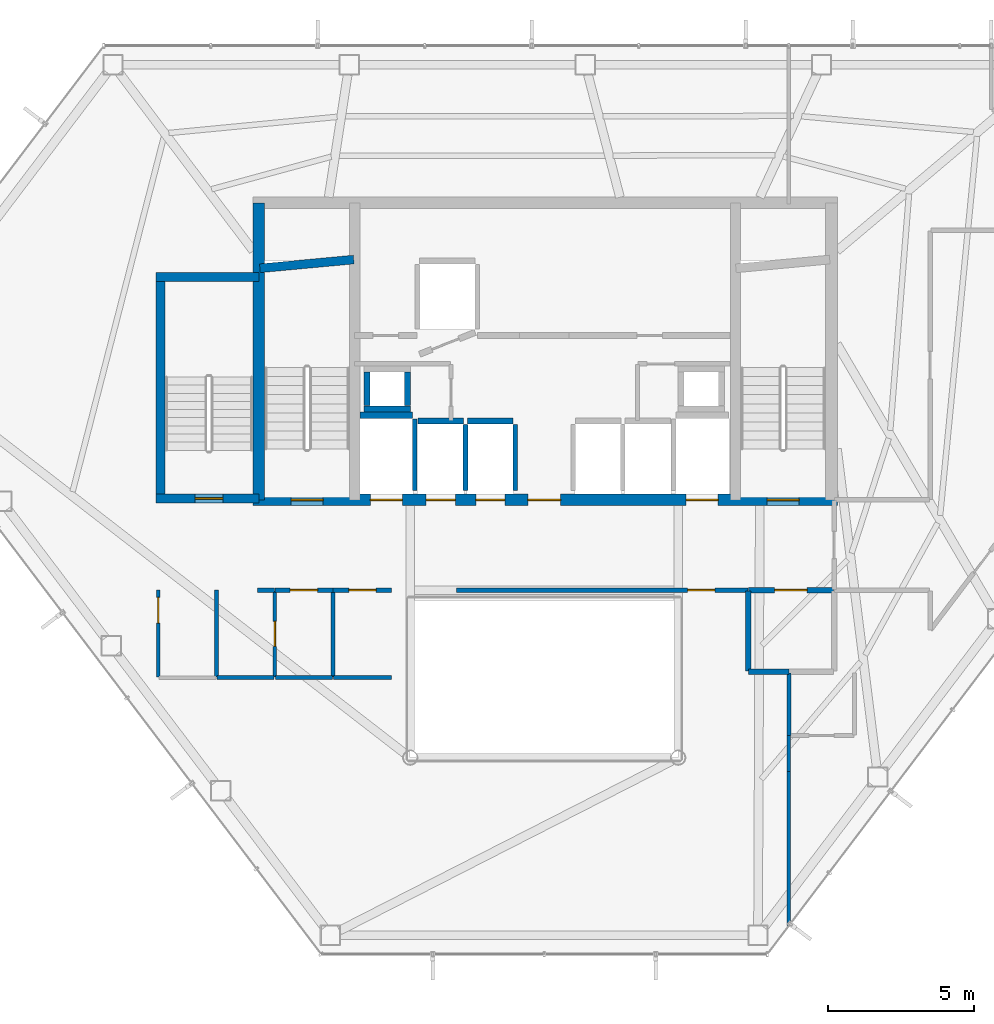
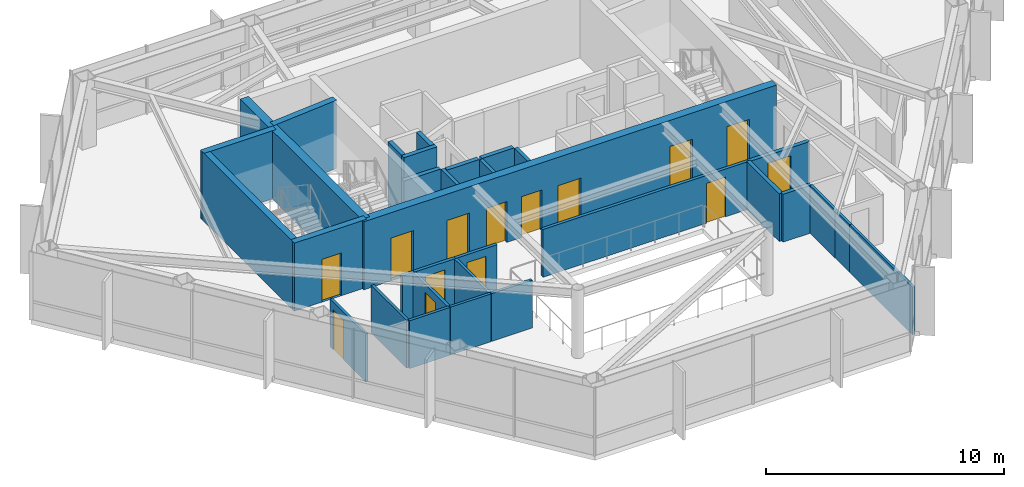
# One storey, part 25 of 28: 32 walls, 14 doors, 14 openings.
"""IFC4 building model written with IfcOpenShell, lengths in metres."""

from ifc_helpers import new_model, si_unit, direction, frame, frame_2d, origin, place, context, subcontext, project, spatial, rectangle, extrude, material, layer, layer_set, type_object, element, fill, save


model = new_model("IFC4")

# Units and contexts
model_context = context("Model", 3, precision=1e-05, world=origin(), true_north=direction((0.0, 1.0)))
body_context = subcontext(model_context, "Body", "Model", "MODEL_VIEW")
ifc_project = project(units=[si_unit("LENGTHUNIT", "METRE"), si_unit("AREAUNIT", "SQUARE_METRE"), si_unit("VOLUMEUNIT", "CUBIC_METRE"), si_unit("PLANEANGLEUNIT", "RADIAN"), si_unit("MASSUNIT", "GRAM", prefix="KILO")], contexts=[model_context])

# Site, building, storey
site_placement = place(None, origin())
site = spatial("IfcSite", under=ifc_project, at=site_placement, CompositionType="ELEMENT")
building_placement = place(site_placement, origin())
building = spatial("IfcBuilding", under=site, at=building_placement, Name="Zarrinselat Tower", CompositionType="ELEMENT")
storey_placement = place(building_placement, frame((0.0, 0.0, 168.300048828125)))
storey = spatial("IfcBuildingStorey", under=building, at=storey_placement, Name="L41", CompositionType="ELEMENT", Elevation=168.300048828125)

# Wall, opening, door
ifc_material_1 = material(Name="Concrete C40/50", Category="concrete")
ifc_layer_1 = layer(ifc_material_1, 0.18994140625)
ifc_layer_set_1 = layer_set([ifc_layer_1], Name="Concrete C40/50")
wall_type_1 = type_object("IfcWallType", Name="WAL-PART-EI120", PredefinedType="PARTITIONING", material=ifc_layer_set_1)
wall_1_placement = place(storey_placement, frame((45.405029296875, 30.14990234375, 0.0), z_axis=(0.0, 0.0, 1.0), x_axis=(1.0, 0.0, 0.0)))
wall_1 = element("IfcWall", 1, at=wall_1_placement, inside=storey, type_object=wall_type_1, Name="L41 Partition Wall 9", PredefinedType="PARTITIONING", context=body_context, shape_type="SweptSolid", body=[
    extrude(rectangle(XDim=2.925048828125, YDim=0.18994140625, at=frame_2d((1.46240234375, 0.0))), origin(), (0.0, 0.0, 1.0), 2.45703125),
])
opening_1_placement = place(wall_1_placement, frame((0.902587890625, 0.0, 0.0)))
opening_1 = element("IfcOpeningElement", 2, at=opening_1_placement, cuts=wall_1, Name="Opening ID-02", PredefinedType="OPENING", context=body_context, shape_type="SweptSolid", body=[
    extrude(rectangle(XDim=1.1201171875, YDim=2.050048828125, at=frame_2d((0.56005859375, 1.02490234375))), frame((0.0, 0.10498046875, 0.0), z_axis=(0.0, -1.0, 0.0), x_axis=(1.0, 0.0, 0.0)), (0.0, 0.0, 1.0), 0.2099609375),
])
ifc_material_2 = material(Name="Steel S355J2", Category="steel")
door_type_1 = type_object("IfcDoorType", Name="DR-INT-FD60-W", OperationType="NOTDEFINED", PredefinedType="DOOR", material=ifc_material_2)
door_1_placement = place(opening_1_placement, origin())
door_1 = element("IfcDoor", 3, at=door_1_placement, inside=storey, type_object=door_type_1, Name="L41 Interior Door P9", OperationType="SINGLE_SWING_LEFT", OverallHeight=2.050048828125, OverallWidth=1.1201171875, PredefinedType="DOOR", context=body_context, shape_type="SweptSolid", body=[
    extrude(rectangle(XDim=1.1201171875, YDim=2.050048828125, at=frame_2d((0.56005859375, 1.02490234375))), frame((0.0, 0.02490234375, 0.0), z_axis=(0.0, -1.0, 0.0), x_axis=(1.0, 0.0, 0.0)), (0.0, 0.0, 1.0), 0.050048828125),
])
fill(opening_1, door_1)

# Walls
wall_2_placement = place(storey_placement, frame((45.419921875, 27.35009765625, 0.0), z_axis=(0.0, 0.0, 1.0), x_axis=(1.0, 0.0, 0.0)))
element("IfcWall", 4, at=wall_2_placement, inside=storey, type_object=wall_type_1, Name="L41 Partition Wall 15", PredefinedType="PARTITIONING", context=body_context, shape_type="SweptSolid", body=[
    extrude(rectangle(XDim=1.375, YDim=0.18994140625, at=frame_2d((0.6875, 0.0))), origin(), (0.0, 0.0, 1.0), 2.45703125),
])
wall_3_placement = place(storey_placement, frame((45.39990234375, 27.3701171875, 0.0), z_axis=(0.0, 0.0, 1.0), x_axis=(0.0, 1.0, 0.0)))
element("IfcWall", 5, at=wall_3_placement, inside=storey, type_object=wall_type_1, Name="L41 Partition Wall 16", PredefinedType="PARTITIONING", context=body_context, shape_type="SweptSolid", body=[
    extrude(rectangle(XDim=2.759765625, YDim=0.18994140625, at=frame_2d((1.3798828125, 0.0))), origin(), (0.0, 0.0, 1.0), 2.45703125),
])
ifc_material_3 = material(Name="Fire-Rated Gypsum Board Partition", Category="gypsum")
ifc_layer_2 = layer(ifc_material_3, 0.14990234375)
ifc_layer_set_2 = layer_set([ifc_layer_2], Name="Fire-Rated Gypsum Board Partition")
wall_type_2 = type_object("IfcWallType", Name="WAL-PART-EI60", PredefinedType="PARTITIONING", material=ifc_layer_set_2)
wall_4_placement = place(storey_placement, frame((28.550048828125, 30.14990234375, 0.0), z_axis=(0.0, 0.0, 1.0), x_axis=(1.0, 0.0, 0.0)))
element("IfcWall", 6, at=wall_4_placement, inside=storey, type_object=wall_type_2, Name="L41 Partition Wall 11", PredefinedType="PARTITIONING", context=body_context, shape_type="SweptSolid", body=[
    extrude(rectangle(XDim=0.594970703125, YDim=0.14990234375, at=frame_2d((0.29736328125, 0.0))), origin(), (0.0, 0.0, 1.0), 2.45703125),
])

# Wall, opening, door
wall_5_placement = place(storey_placement, frame((29.155029296875, 30.14990234375, 0.0), z_axis=(0.0, 0.0, 1.0), x_axis=(1.0, 0.0, 0.0)))
wall_5 = element("IfcWall", 7, at=wall_5_placement, inside=storey, type_object=wall_type_2, Name="L41 Partition Wall 12", PredefinedType="PARTITIONING", context=body_context, shape_type="SweptSolid", body=[
    extrude(rectangle(XDim=1.989990234375, YDim=0.14990234375, at=frame_2d((0.9951171875, 0.0))), origin(), (0.0, 0.0, 1.0), 2.45703125),
])
opening_2_placement = place(wall_5_placement, frame((0.52490234375, 0.0, 0.0)))
opening_2 = element("IfcOpeningElement", 8, at=opening_2_placement, cuts=wall_5, Name="Opening ID-04", PredefinedType="OPENING", context=body_context, shape_type="SweptSolid", body=[
    extrude(rectangle(XDim=0.93994140625, YDim=2.050048828125, at=frame_2d((0.469970703125, 1.02490234375))), frame((0.0, 0.0849609375, 0.0), z_axis=(0.0, -1.0, 0.0), x_axis=(1.0, 0.0, 0.0)), (0.0, 0.0, 1.0), 0.169921875),
])
ifc_material_4 = material(Name="Fire-Rated Gypsum Board Partition")
door_type_2 = type_object("IfcDoorType", Name="DR-INT-FD30-ENT", OperationType="NOTDEFINED", PredefinedType="DOOR", material=ifc_material_4)
door_2_placement = place(opening_2_placement, origin())
door_2 = element("IfcDoor", 9, at=door_2_placement, inside=storey, type_object=door_type_2, Name="L41 Interior Door P12", OperationType="SINGLE_SWING_LEFT", OverallHeight=2.050048828125, OverallWidth=0.93994140625, PredefinedType="DOOR", context=body_context, shape_type="SweptSolid", body=[
    extrude(rectangle(XDim=0.93994140625, YDim=2.050048828125, at=frame_2d((0.469970703125, 1.02490234375))), frame((0.0, 0.02490234375, 0.0), z_axis=(0.0, -1.0, 0.0), x_axis=(1.0, 0.0, 0.0)), (0.0, 0.0, 1.0), 0.050048828125),
])
fill(opening_2, door_2)

wall_6_placement = place(storey_placement, frame((31.155029296875, 30.14990234375, 0.0), z_axis=(0.0, 0.0, 1.0), x_axis=(1.0, 0.0, 0.0)))
wall_6 = element("IfcWall", 10, at=wall_6_placement, inside=storey, type_object=wall_type_2, Name="L41 Partition Wall 13", PredefinedType="PARTITIONING", context=body_context, shape_type="SweptSolid", body=[
    extrude(rectangle(XDim=2.010009765625, YDim=0.14990234375, at=frame_2d((1.0048828125, 0.0))), origin(), (0.0, 0.0, 1.0), 2.45703125),
])
opening_3_placement = place(wall_6_placement, frame((0.534912109375, 0.0, 0.0)))
opening_3 = element("IfcOpeningElement", 11, at=opening_3_placement, cuts=wall_6, Name="Opening ID-04", PredefinedType="OPENING", context=body_context, shape_type="SweptSolid", body=[
    extrude(rectangle(XDim=0.93994140625, YDim=2.050048828125, at=frame_2d((0.469970703125, 1.02490234375))), frame((0.0, 0.0849609375, 0.0), z_axis=(0.0, -1.0, 0.0), x_axis=(1.0, 0.0, 0.0)), (0.0, 0.0, 1.0), 0.169921875),
])
door_3_placement = place(opening_3_placement, origin())
door_3 = element("IfcDoor", 12, at=door_3_placement, inside=storey, type_object=door_type_2, Name="L41 Interior Door P13", OperationType="SINGLE_SWING_RIGHT", OverallHeight=2.050048828125, OverallWidth=0.93994140625, PredefinedType="DOOR", context=body_context, shape_type="SweptSolid", body=[
    extrude(rectangle(XDim=0.93994140625, YDim=2.050048828125, at=frame_2d((0.469970703125, 1.02490234375))), frame((0.0, 0.02490234375, 0.0), z_axis=(0.0, -1.0, 0.0), x_axis=(1.0, 0.0, 0.0)), (0.0, 0.0, 1.0), 0.050048828125),
])
fill(opening_3, door_3)

wall_7_placement = place(storey_placement, frame((35.385009765625, 30.14990234375, 0.0), z_axis=(0.0, 0.0, 1.0), x_axis=(1.0, 0.0, 0.0)))
wall_7 = element("IfcWall", 13, at=wall_7_placement, inside=storey, type_object=wall_type_2, Name="L41 Partition Wall 14", PredefinedType="PARTITIONING", context=body_context, shape_type="SweptSolid", body=[
    extrude(rectangle(XDim=10.010009765625, YDim=0.14990234375, at=frame_2d((5.0048828125, 0.0))), origin(), (0.0, 0.0, 1.0), 2.45703125),
])
opening_4_placement = place(wall_7_placement, frame((7.93505859375, 0.0, 0.0)))
opening_4 = element("IfcOpeningElement", 14, at=opening_4_placement, cuts=wall_7, Name="Opening ID-04", PredefinedType="OPENING", context=body_context, shape_type="SweptSolid", body=[
    extrude(rectangle(XDim=0.93994140625, YDim=2.050048828125, at=frame_2d((0.469970703125, 1.02490234375))), frame((0.0, 0.0849609375, 0.0), z_axis=(0.0, -1.0, 0.0), x_axis=(1.0, 0.0, 0.0)), (0.0, 0.0, 1.0), 0.169921875),
])
door_4_placement = place(opening_4_placement, origin())
door_4 = element("IfcDoor", 15, at=door_4_placement, inside=storey, type_object=door_type_2, Name="L41 Interior Door P14", OperationType="SINGLE_SWING_LEFT", OverallHeight=2.050048828125, OverallWidth=0.93994140625, PredefinedType="DOOR", context=body_context, shape_type="SweptSolid", body=[
    extrude(rectangle(XDim=0.93994140625, YDim=2.050048828125, at=frame_2d((0.469970703125, 1.02490234375))), frame((0.0, 0.02490234375, 0.0), z_axis=(0.0, -1.0, 0.0), x_axis=(1.0, 0.0, 0.0)), (0.0, 0.0, 1.0), 0.050048828125),
])
fill(opening_4, door_4)

ifc_material_5 = material(Name="Fire-Rated Gypsum Board Partition", Category="gypsum")
ifc_layer_3 = layer(ifc_material_5, 0.1201171875)
ifc_layer_set_3 = layer_set([ifc_layer_3], Name="Fire-Rated Gypsum Board Partition")
wall_type_3 = type_object("IfcWallType", Name="WAL-PART-STD", PredefinedType="PARTITIONING", material=ifc_layer_set_3)
wall_8_placement = place(storey_placement, frame((25.14990234375, 27.169921875, 0.0), z_axis=(0.0, 0.0, 1.0), x_axis=(0.0, 1.0, 0.0)))
wall_8 = element("IfcWall", 16, at=wall_8_placement, inside=storey, type_object=wall_type_3, Name="L41 Partition Wall 30", PredefinedType="PARTITIONING", context=body_context, shape_type="SweptSolid", body=[
    extrude(rectangle(XDim=2.97998046875, YDim=0.1201171875, at=frame_2d((1.489990234375, 0.0))), origin(), (0.0, 0.0, 1.0), 2.45703125),
])
opening_5_placement = place(wall_8_placement, frame((1.85009765625, 0.0, 0.0)))
opening_5 = element("IfcOpeningElement", 17, at=opening_5_placement, cuts=wall_8, Name="Opening ID-03", PredefinedType="OPENING", context=body_context, shape_type="SweptSolid", body=[
    extrude(rectangle(XDim=0.8798828125, YDim=2.050048828125, at=frame_2d((0.43994140625, 1.02490234375))), frame((0.0, 0.070068359375, 0.0), z_axis=(0.0, -1.0, 0.0), x_axis=(1.0, 0.0, 0.0)), (0.0, 0.0, 1.0), 0.14013671875),
])
ifc_material_6 = material(Name="Steel S355J2", Category="steel")
door_type_3 = type_object("IfcDoorType", Name="DR-INT-FD60-S", OperationType="NOTDEFINED", PredefinedType="DOOR", material=ifc_material_6)
door_5_placement = place(opening_5_placement, origin())
door_5 = element("IfcDoor", 18, at=door_5_placement, inside=storey, type_object=door_type_3, Name="L41 Interior Door P30", OperationType="SINGLE_SWING_RIGHT", OverallHeight=2.050048828125, OverallWidth=0.8798828125, PredefinedType="DOOR", context=body_context, shape_type="SweptSolid", body=[
    extrude(rectangle(XDim=0.8798828125, YDim=2.050048828125, at=frame_2d((0.43994140625, 1.02490234375))), frame((0.0, 0.02490234375, 0.0), z_axis=(0.0, -1.0, 0.0), x_axis=(1.0, 0.0, 0.0)), (0.0, 0.0, 1.0), 0.050048828125),
])
fill(opening_5, door_5)

# Walls
wall_9_placement = place(storey_placement, frame((46.800048828125, 23.931640625, 0.0), z_axis=(0.0, 0.0, 1.0), x_axis=(0.0, 1.0, 0.0)))
element("IfcWall", 19, at=wall_9_placement, inside=storey, type_object=wall_type_3, Name="L41 Partition Wall 36", PredefinedType="PARTITIONING", context=body_context, shape_type="SweptSolid", body=[
    extrude(rectangle(XDim=1.227783203125, YDim=0.1201171875, at=frame_2d((0.61376953125, 0.0))), origin(), (0.0, 0.0, 1.0), 2.45703125),
])
wall_10_placement = place(storey_placement, frame((46.800048828125, 18.641845703125, 0.0), z_axis=(0.0, 0.0, 1.0), x_axis=(0.0, 1.0, 0.0)))
element("IfcWall", 20, at=wall_10_placement, inside=storey, type_object=wall_type_3, Name="L41 Partition Wall 37", PredefinedType="PARTITIONING", context=body_context, shape_type="SweptSolid", body=[
    extrude(rectangle(XDim=5.289794921875, YDim=0.1201171875, at=frame_2d((2.64501953125, 0.0))), origin(), (0.0, 0.0, 1.0), 2.45703125),
])
ifc_material_7 = material(Name="Fire-Rated Gypsum Board Partition", Category="gypsum")
ifc_layer_4 = layer(ifc_material_7, 0.135009765625)
ifc_layer_set_4 = layer_set([ifc_layer_4], Name="Fire-Rated Gypsum Board Partition")
wall_type_4 = type_object("IfcWallType", Name="WAL-PART-WET", PredefinedType="PARTITIONING", material=ifc_layer_set_4)
wall_11_placement = place(storey_placement, frame((27.14990234375, 27.169921875, 0.0), z_axis=(0.0, 0.0, 1.0), x_axis=(0.0, 1.0, 0.0)))
element("IfcWall", 21, at=wall_11_placement, inside=storey, type_object=wall_type_4, Name="L41 Partition Wall 28", PredefinedType="PARTITIONING", context=body_context, shape_type="SweptSolid", body=[
    extrude(rectangle(XDim=2.97998046875, YDim=0.135009765625, at=frame_2d((1.489990234375, 0.0))), origin(), (0.0, 0.0, 1.0), 2.45703125),
])

# Wall, opening, door
wall_12_placement = place(storey_placement, frame((29.14990234375, 27.169921875, 0.0), z_axis=(0.0, 0.0, 1.0), x_axis=(0.0, 1.0, 0.0)))
wall_12 = element("IfcWall", 22, at=wall_12_placement, inside=storey, type_object=wall_type_4, Name="L41 Partition Wall 31", PredefinedType="PARTITIONING", context=body_context, shape_type="SweptSolid", body=[
    extrude(rectangle(XDim=2.9599609375, YDim=0.135009765625, at=frame_2d((1.47998046875, 0.0))), origin(), (0.0, 0.0, 1.0), 2.45703125),
])
opening_6_placement = place(wall_12_placement, frame((1.050048828125, 0.0, 0.0)))
opening_6 = element("IfcOpeningElement", 23, at=opening_6_placement, cuts=wall_12, Name="Opening ID-06", PredefinedType="OPENING", context=body_context, shape_type="SweptSolid", body=[
    extrude(rectangle(XDim=0.860107421875, YDim=2.050048828125, at=frame_2d((0.43017578125, 1.02490234375))), frame((0.0, 0.077392578125, 0.0), z_axis=(0.0, -1.0, 0.0), x_axis=(1.0, 0.0, 0.0)), (0.0, 0.0, 1.0), 0.155029296875),
])
ifc_material_8 = material(Name="Extruded Aluminium Alloy EN AW-6063 T6", Category="aluminium")
door_type_4 = type_object("IfcDoorType", Name="DR-INT-WET-900", OperationType="NOTDEFINED", PredefinedType="DOOR", material=ifc_material_8)
door_6_placement = place(opening_6_placement, origin())
door_6 = element("IfcDoor", 24, at=door_6_placement, inside=storey, type_object=door_type_4, Name="L41 Interior Door P31", OperationType="SINGLE_SWING_LEFT", OverallHeight=2.050048828125, OverallWidth=0.860107421875, PredefinedType="DOOR", context=body_context, shape_type="SweptSolid", body=[
    extrude(rectangle(XDim=0.860107421875, YDim=2.050048828125, at=frame_2d((0.43017578125, 1.02490234375))), frame((0.0, 0.02490234375, 0.0), z_axis=(0.0, -1.0, 0.0), x_axis=(1.0, 0.0, 0.0)), (0.0, 0.0, 1.0), 0.050048828125),
])
fill(opening_6, door_6)

# Walls
wall_13_placement = place(storey_placement, frame((27.169921875, 27.14990234375, 0.0), z_axis=(0.0, 0.0, 1.0), x_axis=(1.0, 0.0, 0.0)))
element("IfcWall", 25, at=wall_13_placement, inside=storey, type_object=wall_type_4, Name="L41 Partition Wall 32", PredefinedType="PARTITIONING", context=body_context, shape_type="SweptSolid", body=[
    extrude(rectangle(XDim=1.9599609375, YDim=0.135009765625, at=frame_2d((0.97998046875, 0.0))), origin(), (0.0, 0.0, 1.0), 2.45703125),
])
wall_14_placement = place(storey_placement, frame((31.14990234375, 27.169921875, 0.0), z_axis=(0.0, 0.0, 1.0), x_axis=(0.0, 1.0, 0.0)))
element("IfcWall", 26, at=wall_14_placement, inside=storey, type_object=wall_type_4, Name="L41 Partition Wall 33", PredefinedType="PARTITIONING", context=body_context, shape_type="SweptSolid", body=[
    extrude(rectangle(XDim=2.9599609375, YDim=0.135009765625, at=frame_2d((1.47998046875, 0.0))), origin(), (0.0, 0.0, 1.0), 2.45703125),
])
wall_15_placement = place(storey_placement, frame((29.169921875, 27.14990234375, 0.0), z_axis=(0.0, 0.0, 1.0), x_axis=(1.0, 0.0, 0.0)))
element("IfcWall", 27, at=wall_15_placement, inside=storey, type_object=wall_type_4, Name="L41 Partition Wall 34", PredefinedType="PARTITIONING", context=body_context, shape_type="SweptSolid", body=[
    extrude(rectangle(XDim=1.9599609375, YDim=0.135009765625, at=frame_2d((0.97998046875, 0.0))), origin(), (0.0, 0.0, 1.0), 2.45703125),
])
wall_16_placement = place(storey_placement, frame((31.169921875, 27.14990234375, 0.0), z_axis=(0.0, 0.0, 1.0), x_axis=(1.0, 0.0, 0.0)))
element("IfcWall", 28, at=wall_16_placement, inside=storey, type_object=wall_type_4, Name="L41 Partition Wall 35", PredefinedType="PARTITIONING", context=body_context, shape_type="SweptSolid", body=[
    extrude(rectangle(XDim=1.97998046875, YDim=0.135009765625, at=frame_2d((0.989990234375, 0.0))), origin(), (0.0, 0.0, 1.0), 2.45703125),
])
wall_17_placement = place(storey_placement, frame((46.800048828125, 25.16943359375, 0.0), z_axis=(0.0, 0.0, 1.0), x_axis=(0.0, 1.0, 0.0)))
element("IfcWall", 29, at=wall_17_placement, inside=storey, type_object=wall_type_4, Name="L41 Partition Wall 38", PredefinedType="PARTITIONING", context=body_context, shape_type="SweptSolid", body=[
    extrude(rectangle(XDim=2.139892578125, YDim=0.135009765625, at=frame_2d((1.06982421875, 0.0))), origin(), (0.0, 0.0, 1.0), 2.45703125),
])
ifc_material_9 = material(Name="Concrete C40/50", Category="concrete")
ifc_layer_5 = layer(ifc_material_9, 0.2099609375)
ifc_layer_set_5 = layer_set([ifc_layer_5], Name="Concrete C40/50")
wall_type_5 = type_object("IfcWallType", Name="WAL-SHAFT-210", PredefinedType="SOLIDWALL", material=ifc_layer_set_5)
wall_18_placement = place(storey_placement, frame((32.080078125, 36.155029296875, 0.0), z_axis=(0.0, 0.0, 1.0), x_axis=(1.0, 0.0, 0.0)))
element("IfcWall", 30, at=wall_18_placement, inside=storey, type_object=wall_type_5, Name="L41 Lift FFL1 North Shaft Wall", PredefinedType="SOLIDWALL", context=body_context, shape_type="SweptSolid", body=[
    extrude(rectangle(XDim=1.7998046875, YDim=0.2099609375, at=frame_2d((0.89990234375, 0.0))), origin(), (0.0, 0.0, 1.0), 2.471923828125),
])
wall_19_placement = place(storey_placement, frame((33.949951171875, 33.580078125, 0.0), z_axis=(0.0, 0.0, 1.0), x_axis=(0.0, 1.0, 0.0)))
element("IfcWall", 31, at=wall_19_placement, inside=storey, type_object=wall_type_5, Name="L41 Lift FFL1 E Shaft Wall", PredefinedType="SOLIDWALL", context=body_context, shape_type="SweptSolid", body=[
    extrude(rectangle(XDim=2.449951171875, YDim=0.159912109375, at=frame_2d((1.22509765625, 0.0))), origin(), (0.0, 0.0, 1.0), 2.471923828125),
])
wall_20_placement = place(storey_placement, frame((34.070068359375, 35.955078125, 0.0), z_axis=(0.0, 0.0, 1.0), x_axis=(1.0, 0.0, 0.0)))
element("IfcWall", 32, at=wall_20_placement, inside=storey, type_object=wall_type_5, Name="L41 Lift PL5 North Shaft Wall", PredefinedType="SOLIDWALL", context=body_context, shape_type="SweptSolid", body=[
    extrude(rectangle(XDim=1.559814453125, YDim=0.2099609375, at=frame_2d((0.77978515625, 0.0))), origin(), (0.0, 0.0, 1.0), 2.471923828125),
])
wall_21_placement = place(storey_placement, frame((35.699951171875, 33.580078125, 0.0), z_axis=(0.0, 0.0, 1.0), x_axis=(0.0, 1.0, 0.0)))
element("IfcWall", 33, at=wall_21_placement, inside=storey, type_object=wall_type_5, Name="L41 Lift PL5 E Shaft Wall", PredefinedType="SOLIDWALL", context=body_context, shape_type="SweptSolid", body=[
    extrude(rectangle(XDim=2.25, YDim=0.159912109375, at=frame_2d((1.125, 0.0))), origin(), (0.0, 0.0, 1.0), 2.471923828125),
])
wall_22_placement = place(storey_placement, frame((35.77001953125, 35.955078125, 0.0), z_axis=(0.0, 0.0, 1.0), x_axis=(1.0, 0.0, 0.0)))
element("IfcWall", 34, at=wall_22_placement, inside=storey, type_object=wall_type_5, Name="L41 Lift PL6 North Shaft Wall", PredefinedType="SOLIDWALL", context=body_context, shape_type="SweptSolid", body=[
    extrude(rectangle(XDim=1.56005859375, YDim=0.2099609375, at=frame_2d((0.780029296875, 0.0))), origin(), (0.0, 0.0, 1.0), 2.471923828125),
])
wall_23_placement = place(storey_placement, frame((37.39990234375, 33.580078125, 0.0), z_axis=(0.0, 0.0, 1.0), x_axis=(0.0, 1.0, 0.0)))
element("IfcWall", 35, at=wall_23_placement, inside=storey, type_object=wall_type_5, Name="L41 Lift PL6 E Shaft Wall", PredefinedType="SOLIDWALL", context=body_context, shape_type="SweptSolid", body=[
    extrude(rectangle(XDim=2.25, YDim=0.159912109375, at=frame_2d((1.125, 0.0))), origin(), (0.0, 0.0, 1.0), 2.471923828125),
])
wall_24_placement = place(storey_placement, frame((32.2099609375, 36.375, 0.0), z_axis=(0.0, 0.0, 1.0), x_axis=(1.0, 0.0, 0.0)))
element("IfcWall", 36, at=wall_24_placement, inside=storey, type_object=wall_type_5, Name="L41 Core Riser RSR-W S Shaft Wall", PredefinedType="SOLIDWALL", context=body_context, shape_type="SweptSolid", body=[
    extrude(rectangle(XDim=1.60009765625, YDim=0.2099609375, at=frame_2d((0.800048828125, 0.0))), origin(), (0.0, 0.0, 1.0), 3.5),
])
for number, where, z_axis, x_axis, name in (
    (37, (32.31494140625, 36.485107421875, 0.0), (0.0, 0.0, 1.0), (0.0, 1.0, 0.0), "L41 Core Riser RSR-W W Shaft Wall"),
    (38, (33.705078125, 36.485107421875, 0.0), (0.0, 0.0, 1.0), (0.0, 1.0, 0.0), "L41 Core Riser RSR-W E Shaft Wall"),
):
    element("IfcWall", number, at=place(storey_placement, frame(where, z_axis=z_axis, x_axis=x_axis)), inside=storey, type_object=wall_type_5, Name=name, PredefinedType="SOLIDWALL", context=body_context, shape_type="SweptSolid", body=[
        extrude(rectangle(XDim=1.14990234375, YDim=0.2099609375, at=frame_2d((0.574951171875, 0.0))), origin(), (0.0, 0.0, 1.0), 3.5),
    ])
ifc_material_10 = material(Name="Concrete C40/50", Category="concrete")
ifc_layer_6 = layer(ifc_material_10, 0.300048828125)
ifc_layer_set_6 = layer_set([ifc_layer_6], Name="Concrete C40/50")
wall_type_6 = type_object("IfcWallType", Name="WAL-SHEAR-300", PredefinedType="SHEAR", material=ifc_layer_set_6)
wall_25_placement = place(storey_placement, frame((28.639892578125, 41.199951171875, 0.0), z_axis=(0.0, 0.0, 1.0), x_axis=(0.995687118776, 0.092774789157, 0.0)))
element("IfcWall", 39, at=wall_25_placement, inside=storey, type_object=wall_type_6, Name="L41 Stair 1 North Shaft Wall", PredefinedType="SHEAR", context=body_context, shape_type="SweptSolid", body=[
    extrude(rectangle(XDim=3.234130859375, YDim=0.300048828125, at=frame_2d((1.6171875, 0.0))), origin(), (0.0, 0.0, 1.0), 3.5),
])
wall_26_placement = place(storey_placement, frame((25.080078125, 40.89990234375, 0.0), z_axis=(0.0, 0.0, 1.0), x_axis=(1.0, 0.0, 0.0)))
element("IfcWall", 40, at=wall_26_placement, inside=storey, type_object=wall_type_6, Name="L41 Stair 3 North Shear Wall", PredefinedType="SHEAR", context=body_context, shape_type="SweptSolid", body=[
    extrude(rectangle(XDim=3.52001953125, YDim=0.300048828125, at=frame_2d((1.760009765625, 0.0))), origin(), (0.0, 0.0, 1.0), 3.5),
])

# Wall, opening, door
wall_27_placement = place(storey_placement, frame((25.080078125, 33.300048828125, 0.0), z_axis=(0.0, 0.0, 1.0), x_axis=(1.0, 0.0, 0.0)))
wall_27 = element("IfcWall", 41, at=wall_27_placement, inside=storey, type_object=wall_type_6, Name="L41 Stair 3 South Shear Wall", PredefinedType="SHEAR", context=body_context, shape_type="SweptSolid", body=[
    extrude(rectangle(XDim=3.52001953125, YDim=0.300048828125, at=frame_2d((1.760009765625, 0.0))), origin(), (0.0, 0.0, 1.0), 3.5),
])
opening_7_placement = place(wall_27_placement, frame((1.3349609375, 0.0, 0.0)))
opening_7 = element("IfcOpeningElement", 42, at=opening_7_placement, cuts=wall_27, Name="Opening SD-02", PredefinedType="OPENING", context=body_context, shape_type="SweptSolid", body=[
    extrude(rectangle(XDim=0.949951171875, YDim=2.199951171875, at=frame_2d((0.47509765625, 1.10009765625))), frame((0.0, 0.159912109375, 0.0), z_axis=(0.0, -1.0, 0.0), x_axis=(1.0, 0.0, 0.0)), (0.0, 0.0, 1.0), 0.320068359375),
])
ifc_material_11 = material(Name="Steel S355J2", Category="steel")
door_type_5 = type_object("IfcDoorType", Name="DR-STAIR-1050", OperationType="NOTDEFINED", PredefinedType="DOOR", material=ifc_material_11)
door_7_placement = place(opening_7_placement, origin())
door_7 = element("IfcDoor", 43, at=door_7_placement, inside=storey, type_object=door_type_5, Name="L41 Exit Stair 3 Fire Door", OperationType="SINGLE_SWING_LEFT", OverallHeight=2.199951171875, OverallWidth=0.949951171875, PredefinedType="DOOR", context=body_context, shape_type="SweptSolid", body=[
    extrude(rectangle(XDim=0.949951171875, YDim=2.199951171875, at=frame_2d((0.47509765625, 1.10009765625))), frame((0.0, 0.02490234375, 0.0), z_axis=(0.0, -1.0, 0.0), x_axis=(1.0, 0.0, 0.0)), (0.0, 0.0, 1.0), 0.050048828125),
])
fill(opening_7, door_7)

# Wall
wall_28_placement = place(storey_placement, frame((25.22998046875, 33.300048828125, 0.0), z_axis=(0.0, 0.0, 1.0), x_axis=(0.0, 1.0, 0.0)))
element("IfcWall", 44, at=wall_28_placement, inside=storey, type_object=wall_type_6, Name="L41 Stair 3 West Shear Wall", PredefinedType="SHEAR", context=body_context, shape_type="SweptSolid", body=[
    extrude(rectangle(XDim=7.599853515625, YDim=0.300048828125, at=frame_2d((3.7998046875, 0.0))), origin(), (0.0, 0.0, 1.0), 3.5),
])

# Wall, openings, doors
ifc_material_12 = material(Name="Concrete C60/75", Category="concrete")
ifc_layer_7 = layer(ifc_material_12, 0.39990234375)
ifc_layer_set_7 = layer_set([ifc_layer_7], Name="Concrete C60/75")
wall_type_7 = type_object("IfcWallType", Name="WAL-SHEAR-400", PredefinedType="SHEAR", material=ifc_layer_set_7)
wall_29_placement = place(storey_placement, frame((28.39990234375, 33.25, 0.0), z_axis=(0.0, 0.0, 1.0), x_axis=(1.0, 0.0, 0.0)))
wall_29 = element("IfcWall", 45, at=wall_29_placement, inside=storey, type_object=wall_type_7, Name="L41 South Core Shear Wall", PredefinedType="SHEAR", context=body_context, shape_type="SweptSolid", body=[
    extrude(rectangle(XDim=20.06005859375, YDim=0.39990234375, at=frame_2d((10.030029296875, 0.0))), origin(), (0.0, 0.0, 1.0), 3.5),
])
opening_8_placement = place(wall_29_placement, frame((4.030029296875, 0.0, 0.0)))
opening_8 = element("IfcOpeningElement", 46, at=opening_8_placement, cuts=wall_29, Name="Opening LD-FFL1", PredefinedType="OPENING", context=body_context, shape_type="SweptSolid", body=[
    extrude(rectangle(XDim=1.10009765625, YDim=2.14990234375, at=frame_2d((0.550048828125, 1.074951171875))), frame((0.0, 0.2099609375, 0.0), z_axis=(0.0, -1.0, 0.0), x_axis=(1.0, 0.0, 0.0)), (0.0, 0.0, 1.0), 0.419921875),
])
opening_9_placement = place(wall_29_placement, frame((14.8701171875, 0.0, 0.0)))
opening_9 = element("IfcOpeningElement", 47, at=opening_9_placement, cuts=wall_29, Name="Opening LD-FFL2", PredefinedType="OPENING", context=body_context, shape_type="SweptSolid", body=[
    extrude(rectangle(XDim=1.10009765625, YDim=2.14990234375, at=frame_2d((0.550048828125, 1.074951171875))), frame((0.0, 0.2099609375, 0.0), z_axis=(0.0, -1.0, 0.0), x_axis=(1.0, 0.0, 0.0)), (0.0, 0.0, 1.0), 0.419921875),
])
opening_10_placement = place(wall_29_placement, frame((5.949951171875, 0.0, 0.0)))
opening_10 = element("IfcOpeningElement", 48, at=opening_10_placement, cuts=wall_29, Name="Opening LD-PL5", PredefinedType="OPENING", context=body_context, shape_type="SweptSolid", body=[
    extrude(rectangle(XDim=1.0, YDim=2.10009765625, at=frame_2d((0.5, 1.050048828125))), frame((0.0, 0.2099609375, 0.0), z_axis=(0.0, -1.0, 0.0), x_axis=(1.0, 0.0, 0.0)), (0.0, 0.0, 1.0), 0.419921875),
])
opening_11_placement = place(wall_29_placement, frame((7.64990234375, 0.0, 0.0)))
opening_11 = element("IfcOpeningElement", 49, at=opening_11_placement, cuts=wall_29, Name="Opening LD-PL6", PredefinedType="OPENING", context=body_context, shape_type="SweptSolid", body=[
    extrude(rectangle(XDim=1.0, YDim=2.10009765625, at=frame_2d((0.5, 1.050048828125))), frame((0.0, 0.2099609375, 0.0), z_axis=(0.0, -1.0, 0.0), x_axis=(1.0, 0.0, 0.0)), (0.0, 0.0, 1.0), 0.419921875),
])
opening_12_placement = place(wall_29_placement, frame((1.31005859375, 0.0, 0.0)))
opening_12 = element("IfcOpeningElement", 50, at=opening_12_placement, cuts=wall_29, Name="Opening SD-01", PredefinedType="OPENING", context=body_context, shape_type="SweptSolid", body=[
    extrude(rectangle(XDim=1.10009765625, YDim=2.199951171875, at=frame_2d((0.550048828125, 1.10009765625))), frame((0.0, 0.2099609375, 0.0), z_axis=(0.0, -1.0, 0.0), x_axis=(1.0, 0.0, 0.0)), (0.0, 0.0, 1.0), 0.419921875),
])
opening_13_placement = place(wall_29_placement, frame((9.43994140625, 0.0, 0.0)))
opening_13 = element("IfcOpeningElement", 51, at=opening_13_placement, cuts=wall_29, Name="Opening ID-02", PredefinedType="OPENING", context=body_context, shape_type="SweptSolid", body=[
    extrude(rectangle(XDim=1.1201171875, YDim=2.050048828125, at=frame_2d((0.56005859375, 1.02490234375))), frame((0.0, 0.2099609375, 0.0), z_axis=(0.0, -1.0, 0.0), x_axis=(1.0, 0.0, 0.0)), (0.0, 0.0, 1.0), 0.419921875),
])
opening_14_placement = place(wall_29_placement, frame((17.64990234375, 0.0, 0.0)))
opening_14 = element("IfcOpeningElement", 52, at=opening_14_placement, cuts=wall_29, Name="Opening SD-01", PredefinedType="OPENING", context=body_context, shape_type="SweptSolid", body=[
    extrude(rectangle(XDim=1.10009765625, YDim=2.199951171875, at=frame_2d((0.550048828125, 1.10009765625))), frame((0.0, 0.2099609375, 0.0), z_axis=(0.0, -1.0, 0.0), x_axis=(1.0, 0.0, 0.0)), (0.0, 0.0, 1.0), 0.419921875),
])
door_8_placement = place(opening_13_placement, origin())
door_8 = element("IfcDoor", 53, at=door_8_placement, inside=storey, type_object=door_type_1, Name="L41 Core Service Vestibule Fire Door", OperationType="SINGLE_SWING_LEFT", OverallHeight=2.050048828125, OverallWidth=1.1201171875, PredefinedType="DOOR", context=body_context, shape_type="SweptSolid", body=[
    extrude(rectangle(XDim=1.1201171875, YDim=2.050048828125, at=frame_2d((0.56005859375, 1.02490234375))), frame((0.0, 0.02490234375, 0.0), z_axis=(0.0, -1.0, 0.0), x_axis=(1.0, 0.0, 0.0)), (0.0, 0.0, 1.0), 0.050048828125),
])
fill(opening_13, door_8)
ifc_material_13 = material(Name="Steel S355J2", Category="steel")
door_type_6 = type_object("IfcDoorType", Name="DR-LIFT-FF-1100", OperationType="NOTDEFINED", PredefinedType="DOOR", material=ifc_material_13)
door_9_placement = place(opening_8_placement, origin())
door_9 = element("IfcDoor", 54, at=door_9_placement, inside=storey, type_object=door_type_6, Name="L41 Lift FFL1 Sliding Landing Door", OperationType="SLIDING_TO_LEFT", OverallHeight=2.14990234375, OverallWidth=1.10009765625, PredefinedType="DOOR", context=body_context, shape_type="SweptSolid", body=[
    extrude(rectangle(XDim=1.10009765625, YDim=2.14990234375, at=frame_2d((0.550048828125, 1.074951171875))), frame((0.0, 0.02490234375, 0.0), z_axis=(0.0, -1.0, 0.0), x_axis=(1.0, 0.0, 0.0)), (0.0, 0.0, 1.0), 0.050048828125),
])
fill(opening_8, door_9)
door_10_placement = place(opening_9_placement, origin())
door_10 = element("IfcDoor", 55, at=door_10_placement, inside=storey, type_object=door_type_6, Name="L41 Lift FFL2 Sliding Landing Door", OperationType="SLIDING_TO_RIGHT", OverallHeight=2.14990234375, OverallWidth=1.10009765625, PredefinedType="DOOR", context=body_context, shape_type="SweptSolid", body=[
    extrude(rectangle(XDim=1.10009765625, YDim=2.14990234375, at=frame_2d((0.550048828125, 1.074951171875))), frame((0.0, 0.02490234375, 0.0), z_axis=(0.0, -1.0, 0.0), x_axis=(1.0, 0.0, 0.0)), (0.0, 0.0, 1.0), 0.050048828125),
])
fill(opening_9, door_10)
ifc_material_14 = material(Name="Steel S355J2", Category="steel")
door_type_7 = type_object("IfcDoorType", Name="DR-LIFT-PS-1000", OperationType="NOTDEFINED", PredefinedType="DOOR", material=ifc_material_14)
door_11_placement = place(opening_10_placement, origin())
door_11 = element("IfcDoor", 56, at=door_11_placement, inside=storey, type_object=door_type_7, Name="L41 Lift PL5 Sliding Landing Door", OperationType="SLIDING_TO_LEFT", OverallHeight=2.10009765625, OverallWidth=1.0, PredefinedType="DOOR", context=body_context, shape_type="SweptSolid", body=[
    extrude(rectangle(XDim=1.0, YDim=2.10009765625, at=frame_2d((0.5, 1.050048828125))), frame((0.0, 0.02490234375, 0.0), z_axis=(0.0, -1.0, 0.0), x_axis=(1.0, 0.0, 0.0)), (0.0, 0.0, 1.0), 0.050048828125),
])
fill(opening_10, door_11)
door_12_placement = place(opening_11_placement, origin())
door_12 = element("IfcDoor", 57, at=door_12_placement, inside=storey, type_object=door_type_7, Name="L41 Lift PL6 Sliding Landing Door", OperationType="SLIDING_TO_RIGHT", OverallHeight=2.10009765625, OverallWidth=1.0, PredefinedType="DOOR", context=body_context, shape_type="SweptSolid", body=[
    extrude(rectangle(XDim=1.0, YDim=2.10009765625, at=frame_2d((0.5, 1.050048828125))), frame((0.0, 0.02490234375, 0.0), z_axis=(0.0, -1.0, 0.0), x_axis=(1.0, 0.0, 0.0)), (0.0, 0.0, 1.0), 0.050048828125),
])
fill(opening_11, door_12)
ifc_material_15 = material(Name="Steel S355J2", Category="steel")
door_type_8 = type_object("IfcDoorType", Name="DR-STAIR-1100", OperationType="NOTDEFINED", PredefinedType="DOOR", material=ifc_material_15)
door_13_placement = place(opening_12_placement, origin())
door_13 = element("IfcDoor", 58, at=door_13_placement, inside=storey, type_object=door_type_8, Name="L41 Exit Stair 1 Fire Door", OperationType="SINGLE_SWING_LEFT", OverallHeight=2.199951171875, OverallWidth=1.10009765625, PredefinedType="DOOR", context=body_context, shape_type="SweptSolid", body=[
    extrude(rectangle(XDim=1.10009765625, YDim=2.199951171875, at=frame_2d((0.550048828125, 1.10009765625))), frame((0.0, 0.02490234375, 0.0), z_axis=(0.0, -1.0, 0.0), x_axis=(1.0, 0.0, 0.0)), (0.0, 0.0, 1.0), 0.050048828125),
])
fill(opening_12, door_13)
door_14_placement = place(opening_14_placement, origin())
door_14 = element("IfcDoor", 59, at=door_14_placement, inside=storey, type_object=door_type_8, Name="L41 Exit Stair 2 Fire Door", OperationType="SINGLE_SWING_RIGHT", OverallHeight=2.199951171875, OverallWidth=1.10009765625, PredefinedType="DOOR", context=body_context, shape_type="SweptSolid", body=[
    extrude(rectangle(XDim=1.10009765625, YDim=2.199951171875, at=frame_2d((0.550048828125, 1.10009765625))), frame((0.0, 0.02490234375, 0.0), z_axis=(0.0, -1.0, 0.0), x_axis=(1.0, 0.0, 0.0)), (0.0, 0.0, 1.0), 0.050048828125),
])
fill(opening_14, door_14)

# Wall
wall_30_placement = place(storey_placement, frame((28.60009765625, 33.25, 0.0), z_axis=(0.0, 0.0, 1.0), x_axis=(0.0, 1.0, 0.0)))
element("IfcWall", 60, at=wall_30_placement, inside=storey, type_object=wall_type_7, Name="L41 Core Shear Wall W", PredefinedType="SHEAR", context=body_context, shape_type="SweptSolid", body=[
    extrude(rectangle(XDim=10.199951171875, YDim=0.39990234375, at=frame_2d((5.10009765625, 0.0))), origin(), (0.0, 0.0, 1.0), 3.5),
])

save(model, "model.ifc")
